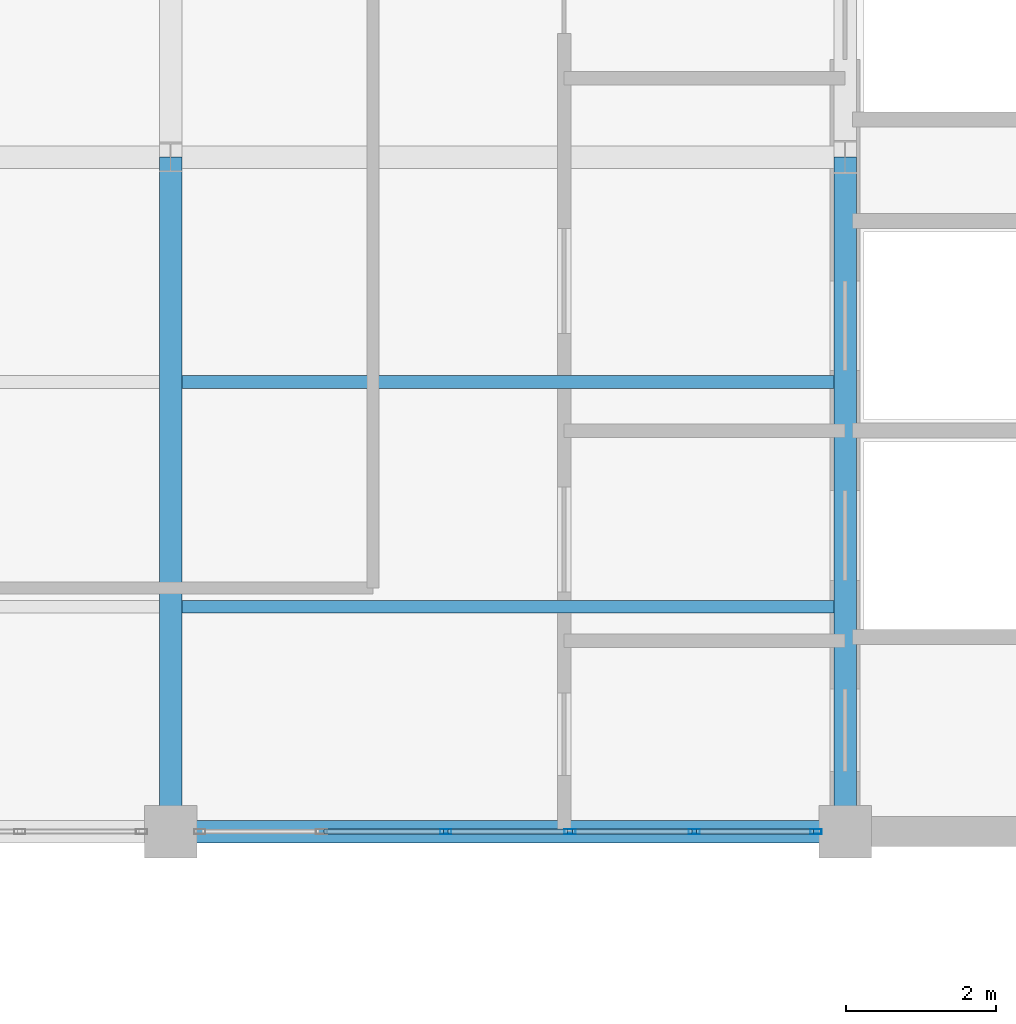
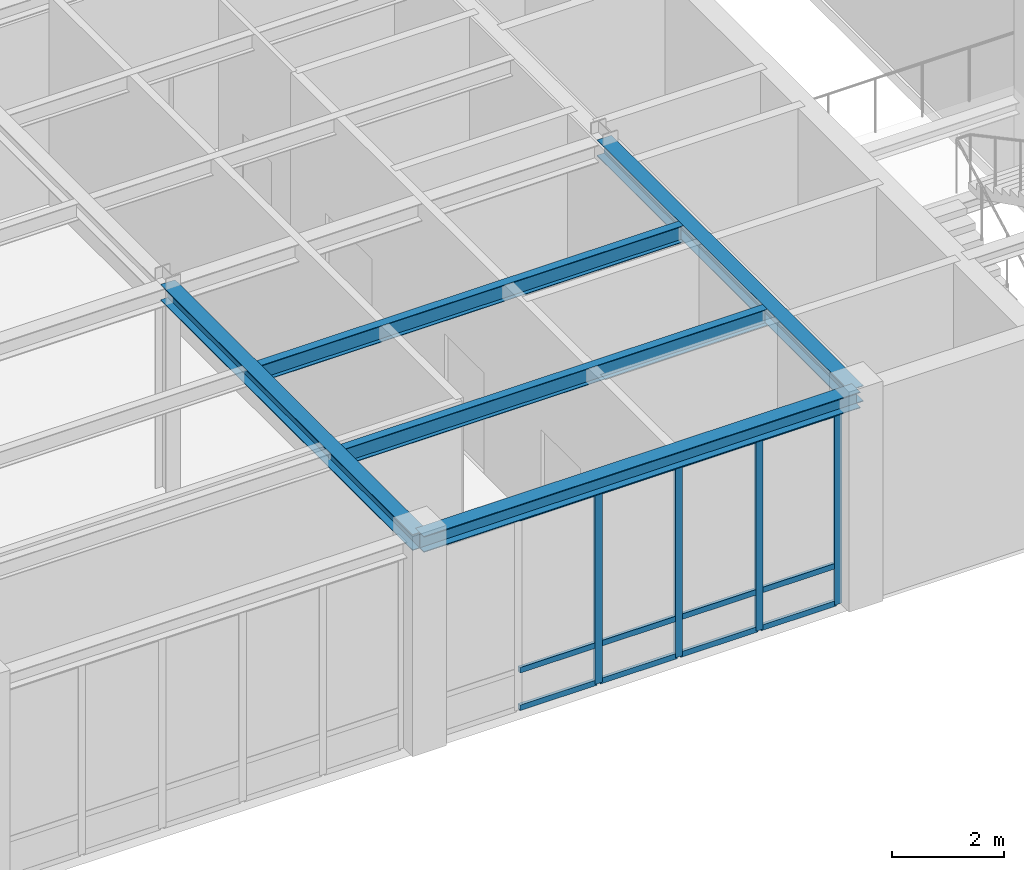
# One storey, part 64 of 92: 16 members, 5 beams, 1 element without a shape of its own.
"""IFC4 building model written with IfcOpenShell, lengths in metres."""

from ifc_helpers import new_model, si_unit, direction, frame, origin, origin_2d, place, context, subcontext, project, spatial, hollow_rectangle, i_section, extrude, material, material_profile, profile_set, type_object, element, aggregate, save


model = new_model("IFC4")

# Units and contexts
model_context = context("Model", 3, precision=1e-05, world=origin(), true_north=direction((0.0, 1.0)))
body_context = subcontext(model_context, "Body", "Model", "MODEL_VIEW")
ifc_project = project(units=[si_unit("LENGTHUNIT", "METRE"), si_unit("AREAUNIT", "SQUARE_METRE"), si_unit("VOLUMEUNIT", "CUBIC_METRE"), si_unit("PLANEANGLEUNIT", "RADIAN"), si_unit("MASSUNIT", "GRAM", prefix="KILO")], contexts=[model_context])

# Site, building, storey
site_placement = place(None, origin())
site = spatial("IfcSite", under=ifc_project, at=site_placement, CompositionType="ELEMENT")
building_placement = place(site_placement, origin())
building = spatial("IfcBuilding", under=site, at=building_placement, Name="Lykobir Media Centre", CompositionType="ELEMENT")
storey_placement = place(building_placement, frame((0.0, 0.0, 5.39990234375)))
storey = spatial("IfcBuildingStorey", under=building, at=storey_placement, Name="L01", CompositionType="ELEMENT", Elevation=5.39990234375)

# Beams
ifc_material_1 = material(Name="Steel S355", Category="steel")
ifc_material_profile_1 = material_profile(ifc_material_1, i_section(OverallWidth=0.300048828125, OverallDepth=0.35009765625, WebThickness=0.010009765625, FlangeThickness=0.017578125, at=origin_2d()), Name="HEA 360")
ifc_profile_set_1 = profile_set([ifc_material_profile_1], Name="Steel S355")
beam_type_1 = type_object("IfcBeamType", Name="BM-HEA360", PredefinedType="BEAM", material=ifc_profile_set_1)
for number, where, z_axis, x_axis, name in (
    (1, (117.0, 72.0, 4.385009765625), (0.0, 1.0, 0.0), (-1.0, 0.0, 0.0), "Beam BM-L01-1170-0720-1170-0810-978"),
    (2, (126.0, 72.0, 4.385009765625), (0.0, 1.0, 0.0), (-1.0, 0.0, 0.0), "Beam BM-L01-1260-0720-1260-0810-978"),
):
    element("IfcBeam", number, at=place(storey_placement, frame(where, z_axis=z_axis, x_axis=x_axis)), inside=storey, type_object=beam_type_1, Name=name, PredefinedType="BEAM", context=body_context, shape_type="SweptSolid", body=[
        extrude(i_section(OverallWidth=0.300048828125, OverallDepth=0.35009765625, WebThickness=0.010009765625, FlangeThickness=0.017578125, at=origin_2d()), origin(), (0.0, 0.0, 1.0), 9.0),
    ])

# Curtain wall, members
ifc_material_2 = material(Name="Anodized Aluminium AW-6060", Category="aluminium")
curtain_wall_type = type_object("IfcCurtainWallType", Name="CW-COURT-A", PredefinedType="NOTDEFINED", material=ifc_material_2)
curtain_wall_placement = place(storey_placement, origin())
curtain_wall = element("IfcCurtainWall", 3, at=curtain_wall_placement, inside=storey, type_object=curtain_wall_type, Name="Curtain wall CW2-L01-0072", PredefinedType="NOTDEFINED")
ifc_material_profile_2 = material_profile(ifc_material_2, hollow_rectangle(XDim=0.06494140625, YDim=0.14990234375, WallThickness=0.00341796875, at=origin_2d()), Name="ALU MULLION 65x150")
ifc_profile_set_2 = profile_set([ifc_material_profile_2], Name="Anodized Aluminium AW-6060")
member_type_1 = type_object("IfcMemberType", Name="CWM-150", PredefinedType="MULLION", material=ifc_profile_set_2)
member_1_placement = place(storey_placement, frame((125.612548828125, 72.0, 0.0), z_axis=(0.0, 0.0, 1.0), x_axis=(0.0, -1.0, 0.0)))
member_1 = element("IfcMember", 4, at=member_1_placement, type_object=member_type_1, Name="CW2-L01-0072 mullion 1", PredefinedType="MULLION", context=body_context, shape_type="SweptSolid", body=[
    extrude(hollow_rectangle(XDim=0.06494140625, YDim=0.14990234375, WallThickness=0.00341796875, at=origin_2d()), origin(), (0.0, 0.0, 1.0), 4.195068359375),
])
member_2_placement = place(storey_placement, frame((123.987060546875, 72.0, 0.0), z_axis=(0.0, 0.0, 1.0), x_axis=(0.0, -1.0, 0.0)))
member_2 = element("IfcMember", 5, at=member_2_placement, type_object=member_type_1, Name="CW2-L01-0072 mullion 2", PredefinedType="MULLION", context=body_context, shape_type="SweptSolid", body=[
    extrude(hollow_rectangle(XDim=0.06494140625, YDim=0.14990234375, WallThickness=0.00341796875, at=origin_2d()), origin(), (0.0, 0.0, 1.0), 4.195068359375),
])
member_3_placement = place(storey_placement, frame((122.3291015625, 72.0, 0.0), z_axis=(0.0, 0.0, 1.0), x_axis=(0.0, -1.0, 0.0)))
member_3 = element("IfcMember", 6, at=member_3_placement, type_object=member_type_1, Name="CW2-L01-0072 mullion 3", PredefinedType="MULLION", context=body_context, shape_type="SweptSolid", body=[
    extrude(hollow_rectangle(XDim=0.06494140625, YDim=0.14990234375, WallThickness=0.00341796875, at=origin_2d()), origin(), (0.0, 0.0, 1.0), 4.195068359375),
])
member_4_placement = place(storey_placement, frame((120.6708984375, 72.0, 0.0), z_axis=(0.0, 0.0, 1.0), x_axis=(0.0, -1.0, 0.0)))
member_4 = element("IfcMember", 7, at=member_4_placement, type_object=member_type_1, Name="CW2-L01-0072 mullion 4", PredefinedType="MULLION", context=body_context, shape_type="SweptSolid", body=[
    extrude(hollow_rectangle(XDim=0.06494140625, YDim=0.14990234375, WallThickness=0.00341796875, at=origin_2d()), origin(), (0.0, 0.0, 1.0), 4.195068359375),
])
ifc_material_profile_3 = material_profile(ifc_material_2, hollow_rectangle(XDim=0.06494140625, YDim=0.1201171875, WallThickness=0.0029296875, at=origin_2d()), Name="ALU TRANSOM 65x120")
ifc_profile_set_3 = profile_set([ifc_material_profile_3], Name="Anodized Aluminium AW-6060")
member_type_2 = type_object("IfcMemberType", Name="CWT-120", PredefinedType="USERDEFINED", material=ifc_profile_set_3)
member_5_placement = place(storey_placement, frame((125.580078125, 72.0, 0.03271484375), z_axis=(-1.0, 0.0, 0.0), x_axis=(0.0, -1.0, 0.0)))
member_5 = element("IfcMember", 8, at=member_5_placement, type_object=member_type_2, Name="CW2-L01-0072 transom 1.1", ObjectType="TRANSOM", PredefinedType="USERDEFINED", context=body_context, shape_type="SweptSolid", body=[
    extrude(hollow_rectangle(XDim=0.06494140625, YDim=0.1201171875, WallThickness=0.0029296875, at=origin_2d()), origin(), (0.0, 0.0, 1.0), 1.560546875),
])
member_6_placement = place(storey_placement, frame((125.580078125, 72.0, 0.85009765625), z_axis=(-1.0, 0.0, 0.0), x_axis=(0.0, -1.0, 0.0)))
member_6 = element("IfcMember", 9, at=member_6_placement, type_object=member_type_2, Name="CW2-L01-0072 transom 1.2", ObjectType="TRANSOM", PredefinedType="USERDEFINED", context=body_context, shape_type="SweptSolid", body=[
    extrude(hollow_rectangle(XDim=0.06494140625, YDim=0.1201171875, WallThickness=0.0029296875, at=origin_2d()), origin(), (0.0, 0.0, 1.0), 1.560546875),
])
member_7_placement = place(storey_placement, frame((125.580078125, 72.0, 4.16259765625), z_axis=(-1.0, 0.0, 0.0), x_axis=(0.0, -1.0, 0.0)))
member_7 = element("IfcMember", 10, at=member_7_placement, type_object=member_type_2, Name="CW2-L01-0072 transom 1.3", ObjectType="TRANSOM", PredefinedType="USERDEFINED", context=body_context, shape_type="SweptSolid", body=[
    extrude(hollow_rectangle(XDim=0.06494140625, YDim=0.1201171875, WallThickness=0.0029296875, at=origin_2d()), origin(), (0.0, 0.0, 1.0), 1.560546875),
])
member_8_placement = place(storey_placement, frame((123.95458984375, 72.0, 0.03271484375), z_axis=(-1.0, 0.0, 0.0), x_axis=(0.0, -1.0, 0.0)))
member_8 = element("IfcMember", 11, at=member_8_placement, type_object=member_type_2, Name="CW2-L01-0072 transom 2.1", ObjectType="TRANSOM", PredefinedType="USERDEFINED", context=body_context, shape_type="SweptSolid", body=[
    extrude(hollow_rectangle(XDim=0.06494140625, YDim=0.1201171875, WallThickness=0.0029296875, at=origin_2d()), origin(), (0.0, 0.0, 1.0), 1.593017578125),
])
member_9_placement = place(storey_placement, frame((123.95458984375, 72.0, 0.85009765625), z_axis=(-1.0, 0.0, 0.0), x_axis=(0.0, -1.0, 0.0)))
member_9 = element("IfcMember", 12, at=member_9_placement, type_object=member_type_2, Name="CW2-L01-0072 transom 2.2", ObjectType="TRANSOM", PredefinedType="USERDEFINED", context=body_context, shape_type="SweptSolid", body=[
    extrude(hollow_rectangle(XDim=0.06494140625, YDim=0.1201171875, WallThickness=0.0029296875, at=origin_2d()), origin(), (0.0, 0.0, 1.0), 1.593017578125),
])
member_10_placement = place(storey_placement, frame((123.95458984375, 72.0, 4.16259765625), z_axis=(-1.0, 0.0, 0.0), x_axis=(0.0, -1.0, 0.0)))
member_10 = element("IfcMember", 13, at=member_10_placement, type_object=member_type_2, Name="CW2-L01-0072 transom 2.3", ObjectType="TRANSOM", PredefinedType="USERDEFINED", context=body_context, shape_type="SweptSolid", body=[
    extrude(hollow_rectangle(XDim=0.06494140625, YDim=0.1201171875, WallThickness=0.0029296875, at=origin_2d()), origin(), (0.0, 0.0, 1.0), 1.593017578125),
])
member_11_placement = place(storey_placement, frame((122.29638671875, 72.0, 0.03271484375), z_axis=(-1.0, 0.0, 0.0), x_axis=(0.0, -1.0, 0.0)))
member_11 = element("IfcMember", 14, at=member_11_placement, type_object=member_type_2, Name="CW2-L01-0072 transom 3.1", ObjectType="TRANSOM", PredefinedType="USERDEFINED", context=body_context, shape_type="SweptSolid", body=[
    extrude(hollow_rectangle(XDim=0.06494140625, YDim=0.1201171875, WallThickness=0.0029296875, at=origin_2d()), origin(), (0.0, 0.0, 1.0), 1.5927734375),
])
member_12_placement = place(storey_placement, frame((122.29638671875, 72.0, 0.85009765625), z_axis=(-1.0, 0.0, 0.0), x_axis=(0.0, -1.0, 0.0)))
member_12 = element("IfcMember", 15, at=member_12_placement, type_object=member_type_2, Name="CW2-L01-0072 transom 3.2", ObjectType="TRANSOM", PredefinedType="USERDEFINED", context=body_context, shape_type="SweptSolid", body=[
    extrude(hollow_rectangle(XDim=0.06494140625, YDim=0.1201171875, WallThickness=0.0029296875, at=origin_2d()), origin(), (0.0, 0.0, 1.0), 1.5927734375),
])
member_13_placement = place(storey_placement, frame((122.29638671875, 72.0, 4.16259765625), z_axis=(-1.0, 0.0, 0.0), x_axis=(0.0, -1.0, 0.0)))
member_13 = element("IfcMember", 16, at=member_13_placement, type_object=member_type_2, Name="CW2-L01-0072 transom 3.3", ObjectType="TRANSOM", PredefinedType="USERDEFINED", context=body_context, shape_type="SweptSolid", body=[
    extrude(hollow_rectangle(XDim=0.06494140625, YDim=0.1201171875, WallThickness=0.0029296875, at=origin_2d()), origin(), (0.0, 0.0, 1.0), 1.5927734375),
])
member_14_placement = place(storey_placement, frame((120.638427734375, 72.0, 0.03271484375), z_axis=(-1.0, 0.0, 0.0), x_axis=(0.0, -1.0, 0.0)))
member_14 = element("IfcMember", 17, at=member_14_placement, type_object=member_type_2, Name="CW2-L01-0072 transom 4.1", ObjectType="TRANSOM", PredefinedType="USERDEFINED", context=body_context, shape_type="SweptSolid", body=[
    extrude(hollow_rectangle(XDim=0.06494140625, YDim=0.1201171875, WallThickness=0.0029296875, at=origin_2d()), origin(), (0.0, 0.0, 1.0), 1.593017578125),
])
member_15_placement = place(storey_placement, frame((120.638427734375, 72.0, 0.85009765625), z_axis=(-1.0, 0.0, 0.0), x_axis=(0.0, -1.0, 0.0)))
member_15 = element("IfcMember", 18, at=member_15_placement, type_object=member_type_2, Name="CW2-L01-0072 transom 4.2", ObjectType="TRANSOM", PredefinedType="USERDEFINED", context=body_context, shape_type="SweptSolid", body=[
    extrude(hollow_rectangle(XDim=0.06494140625, YDim=0.1201171875, WallThickness=0.0029296875, at=origin_2d()), origin(), (0.0, 0.0, 1.0), 1.593017578125),
])
member_16_placement = place(storey_placement, frame((120.638427734375, 72.0, 4.16259765625), z_axis=(-1.0, 0.0, 0.0), x_axis=(0.0, -1.0, 0.0)))
member_16 = element("IfcMember", 19, at=member_16_placement, type_object=member_type_2, Name="CW2-L01-0072 transom 4.3", ObjectType="TRANSOM", PredefinedType="USERDEFINED", context=body_context, shape_type="SweptSolid", body=[
    extrude(hollow_rectangle(XDim=0.06494140625, YDim=0.1201171875, WallThickness=0.0029296875, at=origin_2d()), origin(), (0.0, 0.0, 1.0), 1.593017578125),
])
aggregate(curtain_wall, [member_1, member_2, member_3, member_4, member_5, member_6, member_7, member_8, member_9, member_10, member_11, member_12, member_13, member_14, member_15, member_16])

# Beams
ifc_material_profile_4 = material_profile(ifc_material_1, i_section(OverallWidth=0.169921875, OverallDepth=0.360107421875, WebThickness=0.008056640625, FlangeThickness=0.0126953125, at=origin_2d()), Name="IPE 360")
ifc_profile_set_4 = profile_set([ifc_material_profile_4], Name="Steel S355")
beam_type_2 = type_object("IfcBeamType", Name="JS-IPE360", PredefinedType="JOIST", material=ifc_profile_set_4)
for number, where, z_axis, x_axis, name in (
    (20, (117.14990234375, 75.0, 4.380126953125), (1.0, 0.0, 0.0), (0.0, 1.0, 0.0), "Beam BM-L01-1172-0750-1258-0750-978"),
    (21, (117.14990234375, 78.0, 4.380126953125), (1.0, 0.0, 0.0), (0.0, 1.0, 0.0), "Beam BM-L01-1172-0780-1258-0780-978"),
):
    element("IfcBeam", number, at=place(storey_placement, frame(where, z_axis=z_axis, x_axis=x_axis)), inside=storey, type_object=beam_type_2, Name=name, PredefinedType="JOIST", context=body_context, shape_type="SweptSolid", body=[
        extrude(i_section(OverallWidth=0.169921875, OverallDepth=0.360107421875, WebThickness=0.008056640625, FlangeThickness=0.0126953125, at=origin_2d()), origin(), (0.0, 0.0, 1.0), 8.7001953125),
    ])
ifc_material_profile_5 = material_profile(ifc_material_1, i_section(OverallWidth=0.300048828125, OverallDepth=0.35009765625, WebThickness=0.010009765625, FlangeThickness=0.017578125, at=origin_2d()), Name="HEA 360")
ifc_profile_set_5 = profile_set([ifc_material_profile_5], Name="Steel S355")
beam_type_3 = type_object("IfcBeamType", Name="SP-HEA360", PredefinedType="SPANDREL", material=ifc_profile_set_5)
beam_placement = place(storey_placement, frame((117.0, 72.0, 4.385009765625), z_axis=(1.0, 0.0, 0.0), x_axis=(0.0, 1.0, 0.0)))
element("IfcBeam", 22, at=beam_placement, inside=storey, type_object=beam_type_3, Name="Beam BM-L01-1170-0720-1260-0720-978", PredefinedType="SPANDREL", context=body_context, shape_type="SweptSolid", body=[
    extrude(i_section(OverallWidth=0.300048828125, OverallDepth=0.35009765625, WebThickness=0.010009765625, FlangeThickness=0.017578125, at=origin_2d()), origin(), (0.0, 0.0, 1.0), 9.0),
])

save(model, "model.ifc")
